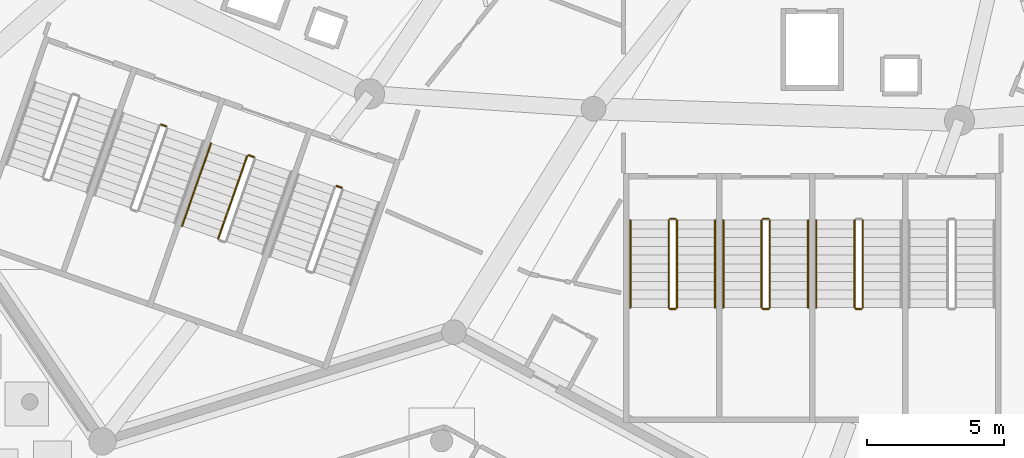
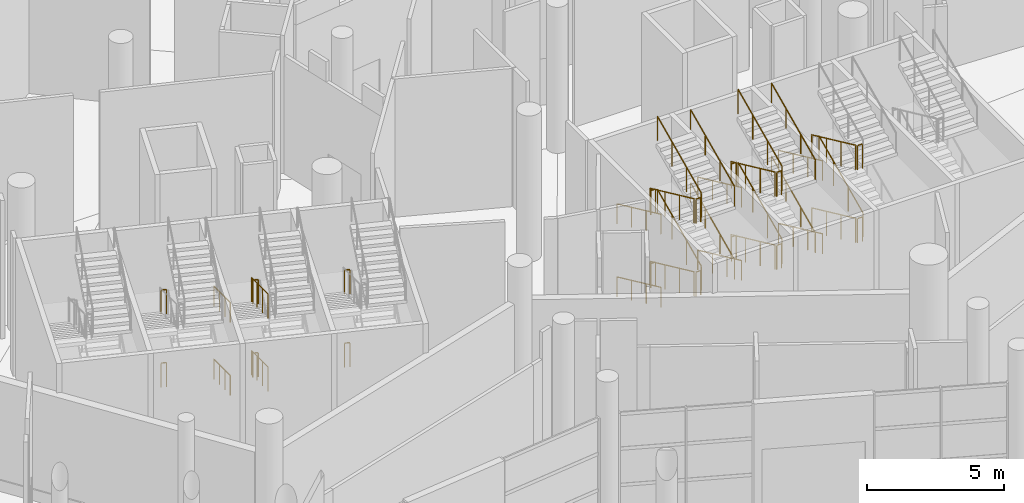
# One storey, part 191 of 255: 41 railings.
"""IFC4 building model written with IfcOpenShell, lengths in metres."""

from ifc_helpers import new_model, si_unit, direction, frame, origin, origin_2d, place, context, subcontext, project, spatial, circle, extrude, material, type_object, element, save


model = new_model("IFC4")

# Units and contexts
model_context = context("Model", 3, precision=1e-05, world=origin(), true_north=direction((0.0, 1.0)))
body_context = subcontext(model_context, "Body", "Model", "MODEL_VIEW")
ifc_project = project(units=[si_unit("LENGTHUNIT", "METRE"), si_unit("AREAUNIT", "SQUARE_METRE"), si_unit("VOLUMEUNIT", "CUBIC_METRE"), si_unit("PLANEANGLEUNIT", "RADIAN"), si_unit("MASSUNIT", "GRAM", prefix="KILO")], contexts=[model_context])

# Site, building, storey
site_placement = place(None, origin())
site = spatial("IfcSite", under=ifc_project, at=site_placement, CompositionType="ELEMENT")
building_placement = place(site_placement, origin())
building = spatial("IfcBuilding", under=site, at=building_placement, Name="Meseta Stadium", CompositionType="ELEMENT")
storey_placement = place(building_placement, origin())
storey = spatial("IfcBuildingStorey", under=building, at=storey_placement, Name="L00", CompositionType="ELEMENT", Elevation=0.0)

# Railings
ifc_material_1 = material(Name="Steel S355", Category="steel")
railing_type_1 = type_object("IfcRailingType", Name="Stair guard 1100", PredefinedType="GUARDRAIL", material=ifc_material_1)
for number, where, name in (
    (1, (-62.148681640625, -90.700439453125, 3.25), "ST86 L00 guard 4"),
    (2, (-62.148681640625, -90.700439453125, 0.0), "ST86 L00 guard 8"),
):
    element("IfcRailing", number, at=place(storey_placement, frame(where)), inside=storey, type_object=railing_type_1, Name=name, PredefinedType="GUARDRAIL", context=body_context, shape_type="SweptSolid", body=[
        extrude(circle(Radius=0.02392578125, at=origin_2d()), frame((0.0, 0.0, 1.076171875), z_axis=(0.944067610699, -0.329751946816, 0.0), x_axis=(0.329751946816, 0.944067610699, 0.0)), (0.0, 0.0, 1.0), 0.199951171875),
        extrude(circle(Radius=0.02099609375, at=origin_2d()), origin(), (0.0, 0.0, 1.0), 1.052001953125),
        extrude(circle(Radius=0.02099609375, at=origin_2d()), frame((0.188720703125, -0.06591796875, 0.0)), (0.0, 0.0, 1.0), 1.052001953125),
    ])
railing_1_placement = place(storey_placement, frame((-59.003173828125, -91.85400390625, 0.147705078125)))
element("IfcRailing", 3, at=railing_1_placement, inside=storey, type_object=railing_type_1, Name="ST87 L00 guard 1", PredefinedType="GUARDRAIL", context=body_context, shape_type="SweptSolid", body=[
    extrude(circle(Radius=0.02392578125, at=origin_2d()), frame((0.0, 0.0, 1.076171875), z_axis=(-0.299858671601, -0.856976550022, 0.419137172986), x_axis=(0.943886898693, -0.330268863922, 0.0)), (0.0, 0.0, 1.0), 3.524658203125),
    extrude(circle(Radius=0.02099609375, at=origin_2d()), origin(), (0.0, 0.0, 1.0), 1.052001953125),
    extrude(circle(Radius=0.02099609375, at=origin_2d()), frame((-0.352294921875, -1.0068359375, 0.492431640625)), (0.0, 0.0, 1.0), 1.052001953125),
    extrude(circle(Radius=0.02099609375, at=origin_2d()), frame((-0.70458984375, -2.013671875, 0.98486328125)), (0.0, 0.0, 1.0), 1.052001953125),
    extrude(circle(Radius=0.02099609375, at=origin_2d()), frame((-1.056884765625, -3.0205078125, 1.477294921875)), (0.0, 0.0, 1.0), 1.052001953125),
])
railing_2_placement = place(storey_placement, frame((-58.939453125, -91.8232421875, 3.25)))
element("IfcRailing", 4, at=railing_2_placement, inside=storey, type_object=railing_type_1, Name="ST87 L00 guard 4", PredefinedType="GUARDRAIL", context=body_context, shape_type="SweptSolid", body=[
    extrude(circle(Radius=0.02392578125, at=origin_2d()), frame((0.0, 0.0, 1.076171875), z_axis=(0.943686935281, -0.330839792317, 0.0), x_axis=(0.330839792317, 0.943686935281, 0.0)), (0.0, 0.0, 1.0), 0.199951171875),
    extrude(circle(Radius=0.02099609375, at=origin_2d()), origin(), (0.0, 0.0, 1.0), 1.052001953125),
    extrude(circle(Radius=0.02099609375, at=origin_2d()), frame((0.188720703125, -0.066162109375, 0.0)), (0.0, 0.0, 1.0), 1.052001953125),
])
railing_3_placement = place(storey_placement, frame((-59.003173828125, -91.85400390625, 3.397705078125)))
element("IfcRailing", 5, at=railing_3_placement, inside=storey, type_object=railing_type_1, Name="ST87 L00 guard 5", PredefinedType="GUARDRAIL", context=body_context, shape_type="SweptSolid", body=[
    extrude(circle(Radius=0.02392578125, at=origin_2d()), frame((0.0, 0.0, 1.076171875), z_axis=(-0.299858671601, -0.856976550022, 0.419137172986), x_axis=(0.943886898693, -0.330268863922, 0.0)), (0.0, 0.0, 1.0), 3.524658203125),
    extrude(circle(Radius=0.02099609375, at=origin_2d()), origin(), (0.0, 0.0, 1.0), 1.052001953125),
    extrude(circle(Radius=0.02099609375, at=origin_2d()), frame((-0.352294921875, -1.0068359375, 0.492431640625)), (0.0, 0.0, 1.0), 1.052001953125),
    extrude(circle(Radius=0.02099609375, at=origin_2d()), frame((-0.70458984375, -2.013671875, 0.98486328125)), (0.0, 0.0, 1.0), 1.052001953125),
    extrude(circle(Radius=0.02099609375, at=origin_2d()), frame((-1.056884765625, -3.0205078125, 1.477294921875)), (0.0, 0.0, 1.0), 1.052001953125),
])
for number, where, name in (
    (6, (-58.939453125, -91.8232421875, 0.0), "ST87 L00 guard 8"),
    (7, (-55.730224609375, -92.9462890625, 3.25), "ST88 L00 guard 4"),
    (8, (-55.730224609375, -92.9462890625, 0.0), "ST88 L00 guard 8"),
):
    element("IfcRailing", number, at=place(storey_placement, frame(where)), inside=storey, type_object=railing_type_1, Name=name, PredefinedType="GUARDRAIL", context=body_context, shape_type="SweptSolid", body=[
        extrude(circle(Radius=0.02392578125, at=origin_2d()), frame((0.0, 0.0, 1.076171875), z_axis=(0.943686935281, -0.330839792317, 0.0), x_axis=(0.330839792317, 0.943686935281, 0.0)), (0.0, 0.0, 1.0), 0.199951171875),
        extrude(circle(Radius=0.02099609375, at=origin_2d()), origin(), (0.0, 0.0, 1.0), 1.052001953125),
        extrude(circle(Radius=0.02099609375, at=origin_2d()), frame((0.188720703125, -0.066162109375, 0.0)), (0.0, 0.0, 1.0), 1.052001953125),
    ])
railing_4_placement = place(storey_placement, frame((-43.583251953125, -94.199951171875, 0.147705078125)))
element("IfcRailing", 9, at=railing_4_placement, inside=storey, type_object=railing_type_1, Name="ST89 L00 guard 1", PredefinedType="GUARDRAIL", context=body_context, shape_type="SweptSolid", body=[
    extrude(circle(Radius=0.02392578125, at=origin_2d()), frame((0.0, 0.0, 1.076171875), z_axis=(0.0, -0.907916804346, 0.419150422148), x_axis=(1.0, 0.0, 0.0)), (0.0, 0.0, 1.0), 3.5244140625),
    extrude(circle(Radius=0.02099609375, at=origin_2d()), origin(), (0.0, 0.0, 1.0), 1.052001953125),
    extrude(circle(Radius=0.02099609375, at=origin_2d()), frame((0.0, -1.066650390625, 0.492431640625)), (0.0, 0.0, 1.0), 1.052001953125),
    extrude(circle(Radius=0.02099609375, at=origin_2d()), frame((0.0, -2.13330078125, 0.98486328125)), (0.0, 0.0, 1.0), 1.052001953125),
    extrude(circle(Radius=0.02099609375, at=origin_2d()), frame((0.0, -3.199951171875, 1.477294921875)), (0.0, 0.0, 1.0), 1.052001953125),
])
railing_5_placement = place(storey_placement, frame((-43.533447265625, -97.449951171875, 1.625)))
element("IfcRailing", 10, at=railing_5_placement, inside=storey, type_object=railing_type_1, Name="ST89 L00 guard 2", PredefinedType="GUARDRAIL", context=body_context, shape_type="SweptSolid", body=[
    extrude(circle(Radius=0.02392578125, at=origin_2d()), frame((0.0, 0.0, 1.076171875), z_axis=(1.0, 0.0, 0.0), x_axis=(0.0, 1.0, 0.0)), (0.0, 0.0, 1.0), 0.2001953125),
    extrude(circle(Radius=0.02099609375, at=origin_2d()), origin(), (0.0, 0.0, 1.0), 1.052001953125),
    extrude(circle(Radius=0.02099609375, at=origin_2d()), frame((0.2001953125, 0.0, 0.0)), (0.0, 0.0, 1.0), 1.052001953125),
])
railing_6_placement = place(storey_placement, frame((-43.283447265625, -97.39990234375, 1.772705078125)))
element("IfcRailing", 11, at=railing_6_placement, inside=storey, type_object=railing_type_1, Name="ST89 L00 guard 3", PredefinedType="GUARDRAIL", context=body_context, shape_type="SweptSolid", body=[
    extrude(circle(Radius=0.02392578125, at=origin_2d()), frame((0.0, 0.0, 1.076171875), z_axis=(0.0, 0.907916804346, 0.419150422148), x_axis=(-1.0, 0.0, 0.0)), (0.0, 0.0, 1.0), 3.5244140625),
    extrude(circle(Radius=0.02099609375, at=origin_2d()), origin(), (0.0, 0.0, 1.0), 1.052001953125),
    extrude(circle(Radius=0.02099609375, at=origin_2d()), frame((0.0, 1.066650390625, 0.492431640625)), (0.0, 0.0, 1.0), 1.052001953125),
    extrude(circle(Radius=0.02099609375, at=origin_2d()), frame((0.0, 2.13330078125, 0.98486328125)), (0.0, 0.0, 1.0), 1.052001953125),
    extrude(circle(Radius=0.02099609375, at=origin_2d()), frame((0.0, 3.199951171875, 1.477294921875)), (0.0, 0.0, 1.0), 1.052001953125),
])
railing_7_placement = place(storey_placement, frame((-43.533447265625, -94.14990234375, 3.25)))
element("IfcRailing", 12, at=railing_7_placement, inside=storey, type_object=railing_type_1, Name="ST89 L00 guard 4", PredefinedType="GUARDRAIL", context=body_context, shape_type="SweptSolid", body=[
    extrude(circle(Radius=0.02392578125, at=origin_2d()), frame((0.0, 0.0, 1.076171875), z_axis=(1.0, 0.0, 0.0), x_axis=(0.0, 1.0, 0.0)), (0.0, 0.0, 1.0), 0.2001953125),
    extrude(circle(Radius=0.02099609375, at=origin_2d()), origin(), (0.0, 0.0, 1.0), 1.052001953125),
    extrude(circle(Radius=0.02099609375, at=origin_2d()), frame((0.2001953125, 0.0, 0.0)), (0.0, 0.0, 1.0), 1.052001953125),
])
railing_8_placement = place(storey_placement, frame((-43.583251953125, -94.199951171875, 3.397705078125)))
element("IfcRailing", 13, at=railing_8_placement, inside=storey, type_object=railing_type_1, Name="ST89 L00 guard 5", PredefinedType="GUARDRAIL", context=body_context, shape_type="SweptSolid", body=[
    extrude(circle(Radius=0.02392578125, at=origin_2d()), frame((0.0, 0.0, 1.076171875), z_axis=(0.0, -0.907916804346, 0.419150422148), x_axis=(1.0, 0.0, 0.0)), (0.0, 0.0, 1.0), 3.5244140625),
    extrude(circle(Radius=0.02099609375, at=origin_2d()), origin(), (0.0, 0.0, 1.0), 1.052001953125),
    extrude(circle(Radius=0.02099609375, at=origin_2d()), frame((0.0, -1.066650390625, 0.492431640625)), (0.0, 0.0, 1.0), 1.052001953125),
    extrude(circle(Radius=0.02099609375, at=origin_2d()), frame((0.0, -2.13330078125, 0.98486328125)), (0.0, 0.0, 1.0), 1.052001953125),
    extrude(circle(Radius=0.02099609375, at=origin_2d()), frame((0.0, -3.199951171875, 1.477294921875)), (0.0, 0.0, 1.0), 1.052001953125),
])
railing_9_placement = place(storey_placement, frame((-43.533447265625, -97.449951171875, 4.875)))
element("IfcRailing", 14, at=railing_9_placement, inside=storey, type_object=railing_type_1, Name="ST89 L00 guard 6", PredefinedType="GUARDRAIL", context=body_context, shape_type="SweptSolid", body=[
    extrude(circle(Radius=0.02392578125, at=origin_2d()), frame((0.0, 0.0, 1.076171875), z_axis=(1.0, 0.0, 0.0), x_axis=(0.0, 1.0, 0.0)), (0.0, 0.0, 1.0), 0.2001953125),
    extrude(circle(Radius=0.02099609375, at=origin_2d()), origin(), (0.0, 0.0, 1.0), 1.052001953125),
    extrude(circle(Radius=0.02099609375, at=origin_2d()), frame((0.2001953125, 0.0, 0.0)), (0.0, 0.0, 1.0), 1.052001953125),
])
railing_10_placement = place(storey_placement, frame((-43.283447265625, -97.39990234375, 5.022705078125)))
element("IfcRailing", 15, at=railing_10_placement, inside=storey, type_object=railing_type_1, Name="ST89 L00 guard 7", PredefinedType="GUARDRAIL", context=body_context, shape_type="SweptSolid", body=[
    extrude(circle(Radius=0.02392578125, at=origin_2d()), frame((0.0, 0.0, 1.076171875), z_axis=(0.0, 0.907916804346, 0.419150422148), x_axis=(-1.0, 0.0, 0.0)), (0.0, 0.0, 1.0), 3.5244140625),
    extrude(circle(Radius=0.02099609375, at=origin_2d()), origin(), (0.0, 0.0, 1.0), 1.052001953125),
    extrude(circle(Radius=0.02099609375, at=origin_2d()), frame((0.0, 1.066650390625, 0.492431640625)), (0.0, 0.0, 1.0), 1.052001953125),
    extrude(circle(Radius=0.02099609375, at=origin_2d()), frame((0.0, 2.13330078125, 0.98486328125)), (0.0, 0.0, 1.0), 1.052001953125),
    extrude(circle(Radius=0.02099609375, at=origin_2d()), frame((0.0, 3.199951171875, 1.477294921875)), (0.0, 0.0, 1.0), 1.052001953125),
])
railing_11_placement = place(storey_placement, frame((-43.533447265625, -94.14990234375, 0.0)))
element("IfcRailing", 16, at=railing_11_placement, inside=storey, type_object=railing_type_1, Name="ST89 L00 guard 8", PredefinedType="GUARDRAIL", context=body_context, shape_type="SweptSolid", body=[
    extrude(circle(Radius=0.02392578125, at=origin_2d()), frame((0.0, 0.0, 1.076171875), z_axis=(1.0, 0.0, 0.0), x_axis=(0.0, 1.0, 0.0)), (0.0, 0.0, 1.0), 0.2001953125),
    extrude(circle(Radius=0.02099609375, at=origin_2d()), origin(), (0.0, 0.0, 1.0), 1.052001953125),
    extrude(circle(Radius=0.02099609375, at=origin_2d()), frame((0.2001953125, 0.0, 0.0)), (0.0, 0.0, 1.0), 1.052001953125),
])
railing_12_placement = place(storey_placement, frame((-40.183349609375, -94.199951171875, 0.147705078125)))
element("IfcRailing", 17, at=railing_12_placement, inside=storey, type_object=railing_type_1, Name="ST90 L00 guard 1", PredefinedType="GUARDRAIL", context=body_context, shape_type="SweptSolid", body=[
    extrude(circle(Radius=0.02392578125, at=origin_2d()), frame((0.0, 0.0, 1.076171875), z_axis=(0.0, -0.907916804346, 0.419150422148), x_axis=(1.0, 0.0, 0.0)), (0.0, 0.0, 1.0), 3.5244140625),
    extrude(circle(Radius=0.02099609375, at=origin_2d()), origin(), (0.0, 0.0, 1.0), 1.052001953125),
    extrude(circle(Radius=0.02099609375, at=origin_2d()), frame((0.0, -1.066650390625, 0.492431640625)), (0.0, 0.0, 1.0), 1.052001953125),
    extrude(circle(Radius=0.02099609375, at=origin_2d()), frame((0.0, -2.13330078125, 0.98486328125)), (0.0, 0.0, 1.0), 1.052001953125),
    extrude(circle(Radius=0.02099609375, at=origin_2d()), frame((0.0, -3.199951171875, 1.477294921875)), (0.0, 0.0, 1.0), 1.052001953125),
])
railing_13_placement = place(storey_placement, frame((-40.13330078125, -97.449951171875, 1.625)))
element("IfcRailing", 18, at=railing_13_placement, inside=storey, type_object=railing_type_1, Name="ST90 L00 guard 2", PredefinedType="GUARDRAIL", context=body_context, shape_type="SweptSolid", body=[
    extrude(circle(Radius=0.02392578125, at=origin_2d()), frame((0.0, 0.0, 1.076171875), z_axis=(1.0, 0.0, 0.0), x_axis=(0.0, 1.0, 0.0)), (0.0, 0.0, 1.0), 0.199951171875),
    extrude(circle(Radius=0.02099609375, at=origin_2d()), origin(), (0.0, 0.0, 1.0), 1.052001953125),
    extrude(circle(Radius=0.02099609375, at=origin_2d()), frame((0.199951171875, 0.0, 0.0)), (0.0, 0.0, 1.0), 1.052001953125),
])
railing_14_placement = place(storey_placement, frame((-39.88330078125, -97.39990234375, 1.772705078125)))
element("IfcRailing", 19, at=railing_14_placement, inside=storey, type_object=railing_type_1, Name="ST90 L00 guard 3", PredefinedType="GUARDRAIL", context=body_context, shape_type="SweptSolid", body=[
    extrude(circle(Radius=0.02392578125, at=origin_2d()), frame((0.0, 0.0, 1.076171875), z_axis=(0.0, 0.907916804346, 0.419150422148), x_axis=(-1.0, 0.0, 0.0)), (0.0, 0.0, 1.0), 3.5244140625),
    extrude(circle(Radius=0.02099609375, at=origin_2d()), origin(), (0.0, 0.0, 1.0), 1.052001953125),
    extrude(circle(Radius=0.02099609375, at=origin_2d()), frame((0.0, 1.066650390625, 0.492431640625)), (0.0, 0.0, 1.0), 1.052001953125),
    extrude(circle(Radius=0.02099609375, at=origin_2d()), frame((0.0, 2.13330078125, 0.98486328125)), (0.0, 0.0, 1.0), 1.052001953125),
    extrude(circle(Radius=0.02099609375, at=origin_2d()), frame((0.0, 3.199951171875, 1.477294921875)), (0.0, 0.0, 1.0), 1.052001953125),
])
railing_15_placement = place(storey_placement, frame((-40.13330078125, -94.14990234375, 3.25)))
element("IfcRailing", 20, at=railing_15_placement, inside=storey, type_object=railing_type_1, Name="ST90 L00 guard 4", PredefinedType="GUARDRAIL", context=body_context, shape_type="SweptSolid", body=[
    extrude(circle(Radius=0.02392578125, at=origin_2d()), frame((0.0, 0.0, 1.076171875), z_axis=(1.0, 0.0, 0.0), x_axis=(0.0, 1.0, 0.0)), (0.0, 0.0, 1.0), 0.199951171875),
    extrude(circle(Radius=0.02099609375, at=origin_2d()), origin(), (0.0, 0.0, 1.0), 1.052001953125),
    extrude(circle(Radius=0.02099609375, at=origin_2d()), frame((0.199951171875, 0.0, 0.0)), (0.0, 0.0, 1.0), 1.052001953125),
])
railing_16_placement = place(storey_placement, frame((-40.183349609375, -94.199951171875, 3.397705078125)))
element("IfcRailing", 21, at=railing_16_placement, inside=storey, type_object=railing_type_1, Name="ST90 L00 guard 5", PredefinedType="GUARDRAIL", context=body_context, shape_type="SweptSolid", body=[
    extrude(circle(Radius=0.02392578125, at=origin_2d()), frame((0.0, 0.0, 1.076171875), z_axis=(0.0, -0.907916804346, 0.419150422148), x_axis=(1.0, 0.0, 0.0)), (0.0, 0.0, 1.0), 3.5244140625),
    extrude(circle(Radius=0.02099609375, at=origin_2d()), origin(), (0.0, 0.0, 1.0), 1.052001953125),
    extrude(circle(Radius=0.02099609375, at=origin_2d()), frame((0.0, -1.066650390625, 0.492431640625)), (0.0, 0.0, 1.0), 1.052001953125),
    extrude(circle(Radius=0.02099609375, at=origin_2d()), frame((0.0, -2.13330078125, 0.98486328125)), (0.0, 0.0, 1.0), 1.052001953125),
    extrude(circle(Radius=0.02099609375, at=origin_2d()), frame((0.0, -3.199951171875, 1.477294921875)), (0.0, 0.0, 1.0), 1.052001953125),
])
railing_17_placement = place(storey_placement, frame((-40.13330078125, -97.449951171875, 4.875)))
element("IfcRailing", 22, at=railing_17_placement, inside=storey, type_object=railing_type_1, Name="ST90 L00 guard 6", PredefinedType="GUARDRAIL", context=body_context, shape_type="SweptSolid", body=[
    extrude(circle(Radius=0.02392578125, at=origin_2d()), frame((0.0, 0.0, 1.076171875), z_axis=(1.0, 0.0, 0.0), x_axis=(0.0, 1.0, 0.0)), (0.0, 0.0, 1.0), 0.199951171875),
    extrude(circle(Radius=0.02099609375, at=origin_2d()), origin(), (0.0, 0.0, 1.0), 1.052001953125),
    extrude(circle(Radius=0.02099609375, at=origin_2d()), frame((0.199951171875, 0.0, 0.0)), (0.0, 0.0, 1.0), 1.052001953125),
])
railing_18_placement = place(storey_placement, frame((-39.88330078125, -97.39990234375, 5.022705078125)))
element("IfcRailing", 23, at=railing_18_placement, inside=storey, type_object=railing_type_1, Name="ST90 L00 guard 7", PredefinedType="GUARDRAIL", context=body_context, shape_type="SweptSolid", body=[
    extrude(circle(Radius=0.02392578125, at=origin_2d()), frame((0.0, 0.0, 1.076171875), z_axis=(0.0, 0.907916804346, 0.419150422148), x_axis=(-1.0, 0.0, 0.0)), (0.0, 0.0, 1.0), 3.5244140625),
    extrude(circle(Radius=0.02099609375, at=origin_2d()), origin(), (0.0, 0.0, 1.0), 1.052001953125),
    extrude(circle(Radius=0.02099609375, at=origin_2d()), frame((0.0, 1.066650390625, 0.492431640625)), (0.0, 0.0, 1.0), 1.052001953125),
    extrude(circle(Radius=0.02099609375, at=origin_2d()), frame((0.0, 2.13330078125, 0.98486328125)), (0.0, 0.0, 1.0), 1.052001953125),
    extrude(circle(Radius=0.02099609375, at=origin_2d()), frame((0.0, 3.199951171875, 1.477294921875)), (0.0, 0.0, 1.0), 1.052001953125),
])
railing_19_placement = place(storey_placement, frame((-40.13330078125, -94.14990234375, 0.0)))
element("IfcRailing", 24, at=railing_19_placement, inside=storey, type_object=railing_type_1, Name="ST90 L00 guard 8", PredefinedType="GUARDRAIL", context=body_context, shape_type="SweptSolid", body=[
    extrude(circle(Radius=0.02392578125, at=origin_2d()), frame((0.0, 0.0, 1.076171875), z_axis=(1.0, 0.0, 0.0), x_axis=(0.0, 1.0, 0.0)), (0.0, 0.0, 1.0), 0.199951171875),
    extrude(circle(Radius=0.02099609375, at=origin_2d()), origin(), (0.0, 0.0, 1.0), 1.052001953125),
    extrude(circle(Radius=0.02099609375, at=origin_2d()), frame((0.199951171875, 0.0, 0.0)), (0.0, 0.0, 1.0), 1.052001953125),
])
railing_20_placement = place(storey_placement, frame((-36.783447265625, -94.199951171875, 0.147705078125)))
element("IfcRailing", 25, at=railing_20_placement, inside=storey, type_object=railing_type_1, Name="ST91 L00 guard 1", PredefinedType="GUARDRAIL", context=body_context, shape_type="SweptSolid", body=[
    extrude(circle(Radius=0.02392578125, at=origin_2d()), frame((0.0, 0.0, 1.076171875), z_axis=(0.0, -0.907916804346, 0.419150422148), x_axis=(1.0, 0.0, 0.0)), (0.0, 0.0, 1.0), 3.5244140625),
    extrude(circle(Radius=0.02099609375, at=origin_2d()), origin(), (0.0, 0.0, 1.0), 1.052001953125),
    extrude(circle(Radius=0.02099609375, at=origin_2d()), frame((0.0, -1.066650390625, 0.492431640625)), (0.0, 0.0, 1.0), 1.052001953125),
    extrude(circle(Radius=0.02099609375, at=origin_2d()), frame((0.0, -2.13330078125, 0.98486328125)), (0.0, 0.0, 1.0), 1.052001953125),
    extrude(circle(Radius=0.02099609375, at=origin_2d()), frame((0.0, -3.199951171875, 1.477294921875)), (0.0, 0.0, 1.0), 1.052001953125),
])
railing_21_placement = place(storey_placement, frame((-36.7333984375, -97.449951171875, 1.625)))
element("IfcRailing", 26, at=railing_21_placement, inside=storey, type_object=railing_type_1, Name="ST91 L00 guard 2", PredefinedType="GUARDRAIL", context=body_context, shape_type="SweptSolid", body=[
    extrude(circle(Radius=0.02392578125, at=origin_2d()), frame((0.0, 0.0, 1.076171875), z_axis=(1.0, 0.0, 0.0), x_axis=(0.0, 1.0, 0.0)), (0.0, 0.0, 1.0), 0.199951171875),
    extrude(circle(Radius=0.02099609375, at=origin_2d()), origin(), (0.0, 0.0, 1.0), 1.052001953125),
    extrude(circle(Radius=0.02099609375, at=origin_2d()), frame((0.199951171875, 0.0, 0.0)), (0.0, 0.0, 1.0), 1.052001953125),
])
railing_22_placement = place(storey_placement, frame((-36.4833984375, -97.39990234375, 1.772705078125)))
element("IfcRailing", 27, at=railing_22_placement, inside=storey, type_object=railing_type_1, Name="ST91 L00 guard 3", PredefinedType="GUARDRAIL", context=body_context, shape_type="SweptSolid", body=[
    extrude(circle(Radius=0.02392578125, at=origin_2d()), frame((0.0, 0.0, 1.076171875), z_axis=(0.0, 0.907916804346, 0.419150422148), x_axis=(-1.0, 0.0, 0.0)), (0.0, 0.0, 1.0), 3.5244140625),
    extrude(circle(Radius=0.02099609375, at=origin_2d()), origin(), (0.0, 0.0, 1.0), 1.052001953125),
    extrude(circle(Radius=0.02099609375, at=origin_2d()), frame((0.0, 1.066650390625, 0.492431640625)), (0.0, 0.0, 1.0), 1.052001953125),
    extrude(circle(Radius=0.02099609375, at=origin_2d()), frame((0.0, 2.13330078125, 0.98486328125)), (0.0, 0.0, 1.0), 1.052001953125),
    extrude(circle(Radius=0.02099609375, at=origin_2d()), frame((0.0, 3.199951171875, 1.477294921875)), (0.0, 0.0, 1.0), 1.052001953125),
])
railing_23_placement = place(storey_placement, frame((-36.783447265625, -94.199951171875, 3.397705078125)))
element("IfcRailing", 28, at=railing_23_placement, inside=storey, type_object=railing_type_1, Name="ST91 L00 guard 5", PredefinedType="GUARDRAIL", context=body_context, shape_type="SweptSolid", body=[
    extrude(circle(Radius=0.02392578125, at=origin_2d()), frame((0.0, 0.0, 1.076171875), z_axis=(0.0, -0.907916804346, 0.419150422148), x_axis=(1.0, 0.0, 0.0)), (0.0, 0.0, 1.0), 3.5244140625),
    extrude(circle(Radius=0.02099609375, at=origin_2d()), origin(), (0.0, 0.0, 1.0), 1.052001953125),
    extrude(circle(Radius=0.02099609375, at=origin_2d()), frame((0.0, -1.066650390625, 0.492431640625)), (0.0, 0.0, 1.0), 1.052001953125),
    extrude(circle(Radius=0.02099609375, at=origin_2d()), frame((0.0, -2.13330078125, 0.98486328125)), (0.0, 0.0, 1.0), 1.052001953125),
    extrude(circle(Radius=0.02099609375, at=origin_2d()), frame((0.0, -3.199951171875, 1.477294921875)), (0.0, 0.0, 1.0), 1.052001953125),
])
railing_24_placement = place(storey_placement, frame((-36.7333984375, -97.449951171875, 4.875)))
element("IfcRailing", 29, at=railing_24_placement, inside=storey, type_object=railing_type_1, Name="ST91 L00 guard 6", PredefinedType="GUARDRAIL", context=body_context, shape_type="SweptSolid", body=[
    extrude(circle(Radius=0.02392578125, at=origin_2d()), frame((0.0, 0.0, 1.076171875), z_axis=(1.0, 0.0, 0.0), x_axis=(0.0, 1.0, 0.0)), (0.0, 0.0, 1.0), 0.199951171875),
    extrude(circle(Radius=0.02099609375, at=origin_2d()), origin(), (0.0, 0.0, 1.0), 1.052001953125),
    extrude(circle(Radius=0.02099609375, at=origin_2d()), frame((0.199951171875, 0.0, 0.0)), (0.0, 0.0, 1.0), 1.052001953125),
])
ifc_material_2 = material(Name="Steel S355", Category="steel")
railing_type_2 = type_object("IfcRailingType", Name="Stair handrail 900", PredefinedType="HANDRAIL", material=ifc_material_2)
for number, where, name in (
    (30, (-60.32470703125, -91.3916015625, 0.147705078125), "ST87 L00 handrail 1"),
    (31, (-60.32470703125, -91.3916015625, 3.397705078125), "ST87 L00 handrail 3"),
):
    element("IfcRailing", number, at=place(storey_placement, frame(where)), inside=storey, type_object=railing_type_2, Name=name, PredefinedType="HANDRAIL", context=body_context, shape_type="SweptSolid", body=[
        extrude(circle(Radius=0.02392578125, at=origin_2d()), frame((0.0, 0.0, 0.8759765625), z_axis=(-0.299858671601, -0.856976550022, 0.419137172986), x_axis=(0.943886898693, -0.330268863922, 0.0)), (0.0, 0.0, 1.0), 3.524658203125),
        extrude(circle(Radius=0.02099609375, at=origin_2d()), origin(), (0.0, 0.0, 1.0), 0.851806640625),
        extrude(circle(Radius=0.02099609375, at=origin_2d()), frame((-0.352294921875, -1.0068359375, 0.492431640625)), (0.0, 0.0, 1.0), 0.851806640625),
        extrude(circle(Radius=0.02099609375, at=origin_2d()), frame((-0.70458984375, -2.013671875, 0.98486328125)), (0.0, 0.0, 1.0), 0.851806640625),
        extrude(circle(Radius=0.02099609375, at=origin_2d()), frame((-1.056884765625, -3.0205078125, 1.477294921875)), (0.0, 0.0, 1.0), 0.851806640625),
    ])
railing_25_placement = place(storey_placement, frame((-44.9833984375, -94.199951171875, 0.147705078125)))
element("IfcRailing", 32, at=railing_25_placement, inside=storey, type_object=railing_type_2, Name="ST89 L00 handrail 1", PredefinedType="HANDRAIL", context=body_context, shape_type="SweptSolid", body=[
    extrude(circle(Radius=0.02392578125, at=origin_2d()), frame((0.0, 0.0, 0.8759765625), z_axis=(0.0, -0.907916804346, 0.419150422148), x_axis=(1.0, 0.0, 0.0)), (0.0, 0.0, 1.0), 3.5244140625),
    extrude(circle(Radius=0.02099609375, at=origin_2d()), origin(), (0.0, 0.0, 1.0), 0.851806640625),
    extrude(circle(Radius=0.02099609375, at=origin_2d()), frame((0.0, -1.066650390625, 0.492431640625)), (0.0, 0.0, 1.0), 0.851806640625),
    extrude(circle(Radius=0.02099609375, at=origin_2d()), frame((0.0, -2.13330078125, 0.98486328125)), (0.0, 0.0, 1.0), 0.851806640625),
    extrude(circle(Radius=0.02099609375, at=origin_2d()), frame((0.0, -3.199951171875, 1.477294921875)), (0.0, 0.0, 1.0), 0.851806640625),
])
railing_26_placement = place(storey_placement, frame((-41.88330078125, -97.39990234375, 1.772705078125)))
element("IfcRailing", 33, at=railing_26_placement, inside=storey, type_object=railing_type_2, Name="ST89 L00 handrail 2", PredefinedType="HANDRAIL", context=body_context, shape_type="SweptSolid", body=[
    extrude(circle(Radius=0.02392578125, at=origin_2d()), frame((0.0, 0.0, 0.8759765625), z_axis=(0.0, 0.907916804346, 0.419150422148), x_axis=(-1.0, 0.0, 0.0)), (0.0, 0.0, 1.0), 3.5244140625),
    extrude(circle(Radius=0.02099609375, at=origin_2d()), origin(), (0.0, 0.0, 1.0), 0.851806640625),
    extrude(circle(Radius=0.02099609375, at=origin_2d()), frame((0.0, 1.066650390625, 0.492431640625)), (0.0, 0.0, 1.0), 0.851806640625),
    extrude(circle(Radius=0.02099609375, at=origin_2d()), frame((0.0, 2.13330078125, 0.98486328125)), (0.0, 0.0, 1.0), 0.851806640625),
    extrude(circle(Radius=0.02099609375, at=origin_2d()), frame((0.0, 3.199951171875, 1.477294921875)), (0.0, 0.0, 1.0), 0.851806640625),
])
railing_27_placement = place(storey_placement, frame((-44.9833984375, -94.199951171875, 3.397705078125)))
element("IfcRailing", 34, at=railing_27_placement, inside=storey, type_object=railing_type_2, Name="ST89 L00 handrail 3", PredefinedType="HANDRAIL", context=body_context, shape_type="SweptSolid", body=[
    extrude(circle(Radius=0.02392578125, at=origin_2d()), frame((0.0, 0.0, 0.8759765625), z_axis=(0.0, -0.907916804346, 0.419150422148), x_axis=(1.0, 0.0, 0.0)), (0.0, 0.0, 1.0), 3.5244140625),
    extrude(circle(Radius=0.02099609375, at=origin_2d()), origin(), (0.0, 0.0, 1.0), 0.851806640625),
    extrude(circle(Radius=0.02099609375, at=origin_2d()), frame((0.0, -1.066650390625, 0.492431640625)), (0.0, 0.0, 1.0), 0.851806640625),
    extrude(circle(Radius=0.02099609375, at=origin_2d()), frame((0.0, -2.13330078125, 0.98486328125)), (0.0, 0.0, 1.0), 0.851806640625),
    extrude(circle(Radius=0.02099609375, at=origin_2d()), frame((0.0, -3.199951171875, 1.477294921875)), (0.0, 0.0, 1.0), 0.851806640625),
])
railing_28_placement = place(storey_placement, frame((-41.88330078125, -97.39990234375, 5.022705078125)))
element("IfcRailing", 35, at=railing_28_placement, inside=storey, type_object=railing_type_2, Name="ST89 L00 handrail 4", PredefinedType="HANDRAIL", context=body_context, shape_type="SweptSolid", body=[
    extrude(circle(Radius=0.02392578125, at=origin_2d()), frame((0.0, 0.0, 0.8759765625), z_axis=(0.0, 0.907916804346, 0.419150422148), x_axis=(-1.0, 0.0, 0.0)), (0.0, 0.0, 1.0), 3.5244140625),
    extrude(circle(Radius=0.02099609375, at=origin_2d()), origin(), (0.0, 0.0, 1.0), 0.851806640625),
    extrude(circle(Radius=0.02099609375, at=origin_2d()), frame((0.0, 1.066650390625, 0.492431640625)), (0.0, 0.0, 1.0), 0.851806640625),
    extrude(circle(Radius=0.02099609375, at=origin_2d()), frame((0.0, 2.13330078125, 0.98486328125)), (0.0, 0.0, 1.0), 0.851806640625),
    extrude(circle(Radius=0.02099609375, at=origin_2d()), frame((0.0, 3.199951171875, 1.477294921875)), (0.0, 0.0, 1.0), 0.851806640625),
])
railing_29_placement = place(storey_placement, frame((-41.583251953125, -94.199951171875, 0.147705078125)))
element("IfcRailing", 36, at=railing_29_placement, inside=storey, type_object=railing_type_2, Name="ST90 L00 handrail 1", PredefinedType="HANDRAIL", context=body_context, shape_type="SweptSolid", body=[
    extrude(circle(Radius=0.02392578125, at=origin_2d()), frame((0.0, 0.0, 0.8759765625), z_axis=(0.0, -0.907916804346, 0.419150422148), x_axis=(1.0, 0.0, 0.0)), (0.0, 0.0, 1.0), 3.5244140625),
    extrude(circle(Radius=0.02099609375, at=origin_2d()), origin(), (0.0, 0.0, 1.0), 0.851806640625),
    extrude(circle(Radius=0.02099609375, at=origin_2d()), frame((0.0, -1.066650390625, 0.492431640625)), (0.0, 0.0, 1.0), 0.851806640625),
    extrude(circle(Radius=0.02099609375, at=origin_2d()), frame((0.0, -2.13330078125, 0.98486328125)), (0.0, 0.0, 1.0), 0.851806640625),
    extrude(circle(Radius=0.02099609375, at=origin_2d()), frame((0.0, -3.199951171875, 1.477294921875)), (0.0, 0.0, 1.0), 0.851806640625),
])
railing_30_placement = place(storey_placement, frame((-38.4833984375, -97.39990234375, 1.772705078125)))
element("IfcRailing", 37, at=railing_30_placement, inside=storey, type_object=railing_type_2, Name="ST90 L00 handrail 2", PredefinedType="HANDRAIL", context=body_context, shape_type="SweptSolid", body=[
    extrude(circle(Radius=0.02392578125, at=origin_2d()), frame((0.0, 0.0, 0.8759765625), z_axis=(0.0, 0.907916804346, 0.419150422148), x_axis=(-1.0, 0.0, 0.0)), (0.0, 0.0, 1.0), 3.5244140625),
    extrude(circle(Radius=0.02099609375, at=origin_2d()), origin(), (0.0, 0.0, 1.0), 0.851806640625),
    extrude(circle(Radius=0.02099609375, at=origin_2d()), frame((0.0, 1.066650390625, 0.492431640625)), (0.0, 0.0, 1.0), 0.851806640625),
    extrude(circle(Radius=0.02099609375, at=origin_2d()), frame((0.0, 2.13330078125, 0.98486328125)), (0.0, 0.0, 1.0), 0.851806640625),
    extrude(circle(Radius=0.02099609375, at=origin_2d()), frame((0.0, 3.199951171875, 1.477294921875)), (0.0, 0.0, 1.0), 0.851806640625),
])
railing_31_placement = place(storey_placement, frame((-41.583251953125, -94.199951171875, 3.397705078125)))
element("IfcRailing", 38, at=railing_31_placement, inside=storey, type_object=railing_type_2, Name="ST90 L00 handrail 3", PredefinedType="HANDRAIL", context=body_context, shape_type="SweptSolid", body=[
    extrude(circle(Radius=0.02392578125, at=origin_2d()), frame((0.0, 0.0, 0.8759765625), z_axis=(0.0, -0.907916804346, 0.419150422148), x_axis=(1.0, 0.0, 0.0)), (0.0, 0.0, 1.0), 3.5244140625),
    extrude(circle(Radius=0.02099609375, at=origin_2d()), origin(), (0.0, 0.0, 1.0), 0.851806640625),
    extrude(circle(Radius=0.02099609375, at=origin_2d()), frame((0.0, -1.066650390625, 0.492431640625)), (0.0, 0.0, 1.0), 0.851806640625),
    extrude(circle(Radius=0.02099609375, at=origin_2d()), frame((0.0, -2.13330078125, 0.98486328125)), (0.0, 0.0, 1.0), 0.851806640625),
    extrude(circle(Radius=0.02099609375, at=origin_2d()), frame((0.0, -3.199951171875, 1.477294921875)), (0.0, 0.0, 1.0), 0.851806640625),
])
railing_32_placement = place(storey_placement, frame((-38.4833984375, -97.39990234375, 5.022705078125)))
element("IfcRailing", 39, at=railing_32_placement, inside=storey, type_object=railing_type_2, Name="ST90 L00 handrail 4", PredefinedType="HANDRAIL", context=body_context, shape_type="SweptSolid", body=[
    extrude(circle(Radius=0.02392578125, at=origin_2d()), frame((0.0, 0.0, 0.8759765625), z_axis=(0.0, 0.907916804346, 0.419150422148), x_axis=(-1.0, 0.0, 0.0)), (0.0, 0.0, 1.0), 3.5244140625),
    extrude(circle(Radius=0.02099609375, at=origin_2d()), origin(), (0.0, 0.0, 1.0), 0.851806640625),
    extrude(circle(Radius=0.02099609375, at=origin_2d()), frame((0.0, 1.066650390625, 0.492431640625)), (0.0, 0.0, 1.0), 0.851806640625),
    extrude(circle(Radius=0.02099609375, at=origin_2d()), frame((0.0, 2.13330078125, 0.98486328125)), (0.0, 0.0, 1.0), 0.851806640625),
    extrude(circle(Radius=0.02099609375, at=origin_2d()), frame((0.0, 3.199951171875, 1.477294921875)), (0.0, 0.0, 1.0), 0.851806640625),
])
for number, where, name in (
    (40, (-38.183349609375, -94.199951171875, 0.147705078125), "ST91 L00 handrail 1"),
    (41, (-38.183349609375, -94.199951171875, 3.397705078125), "ST91 L00 handrail 3"),
):
    element("IfcRailing", number, at=place(storey_placement, frame(where)), inside=storey, type_object=railing_type_2, Name=name, PredefinedType="HANDRAIL", context=body_context, shape_type="SweptSolid", body=[
        extrude(circle(Radius=0.02392578125, at=origin_2d()), frame((0.0, 0.0, 0.8759765625), z_axis=(0.0, -0.907916804346, 0.419150422148), x_axis=(1.0, 0.0, 0.0)), (0.0, 0.0, 1.0), 3.5244140625),
        extrude(circle(Radius=0.02099609375, at=origin_2d()), origin(), (0.0, 0.0, 1.0), 0.851806640625),
        extrude(circle(Radius=0.02099609375, at=origin_2d()), frame((0.0, -1.066650390625, 0.492431640625)), (0.0, 0.0, 1.0), 0.851806640625),
        extrude(circle(Radius=0.02099609375, at=origin_2d()), frame((0.0, -2.13330078125, 0.98486328125)), (0.0, 0.0, 1.0), 0.851806640625),
        extrude(circle(Radius=0.02099609375, at=origin_2d()), frame((0.0, -3.199951171875, 1.477294921875)), (0.0, 0.0, 1.0), 0.851806640625),
    ])

save(model, "model.ifc")
